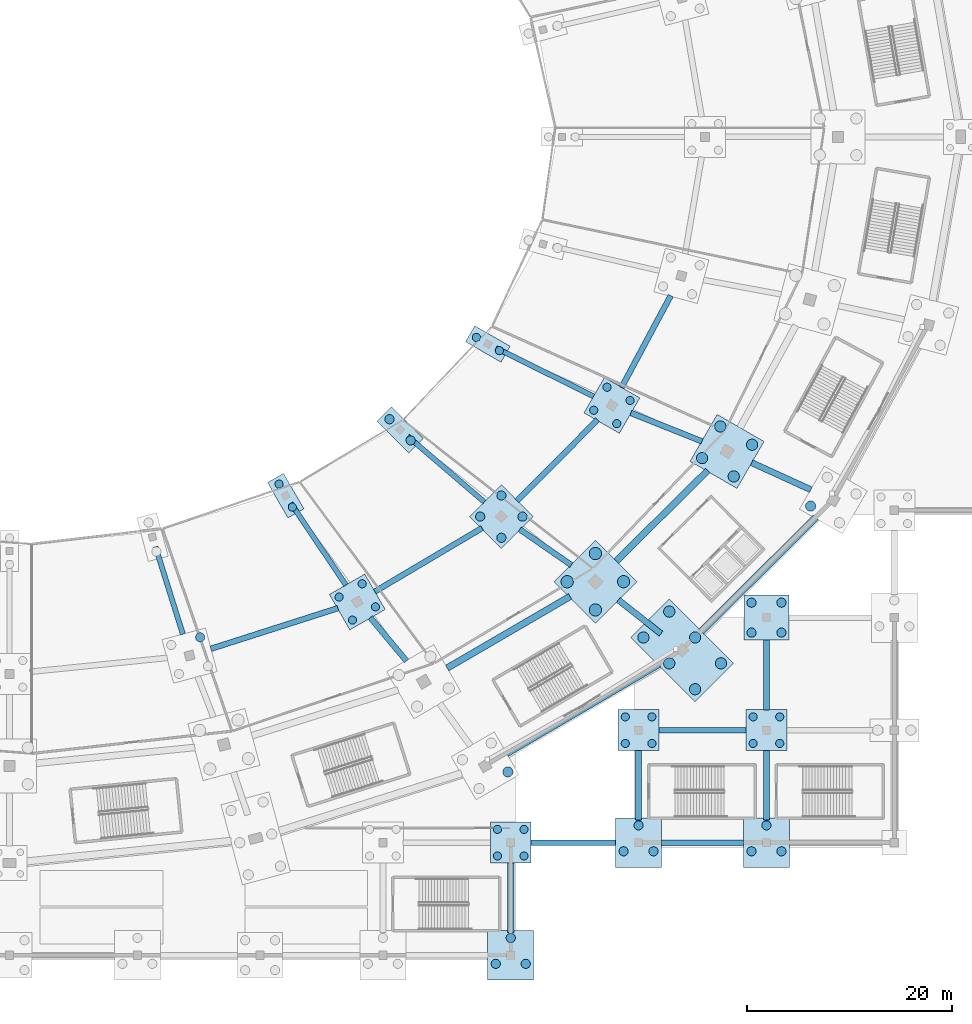
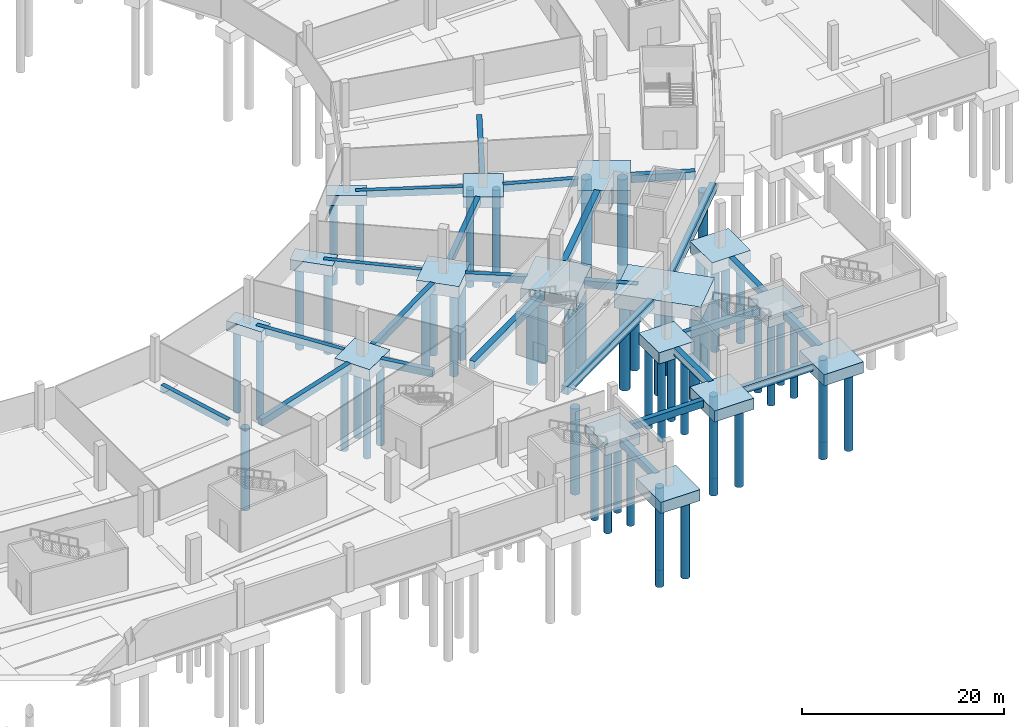
# One storey, part 6 of 74: 60 piles, 40 footings.
"""IFC4 building model written with IfcOpenShell, lengths in metres."""

from ifc_helpers import new_model, si_unit, direction, frame, origin, origin_2d, place, context, subcontext, project, spatial, polyline, rectangle, circle, outline, extrude, material, material_profile, profile_set, type_object, element, save


model = new_model("IFC4")

# Units and contexts
model_context = context("Model", 3, precision=1e-05, world=origin(), true_north=direction((0.0, 1.0)))
body_context = subcontext(model_context, "Body", "Model", "MODEL_VIEW")
ifc_project = project(units=[si_unit("LENGTHUNIT", "METRE"), si_unit("AREAUNIT", "SQUARE_METRE"), si_unit("VOLUMEUNIT", "CUBIC_METRE"), si_unit("PLANEANGLEUNIT", "RADIAN"), si_unit("MASSUNIT", "GRAM", prefix="KILO")], contexts=[model_context])

# Site, building, storey
site_placement = place(None, origin())
site = spatial("IfcSite", under=ifc_project, at=site_placement, CompositionType="ELEMENT")
building_placement = place(site_placement, origin())
building = spatial("IfcBuilding", under=site, at=building_placement, Name="Zlatoyarsky Gate Stadium", CompositionType="ELEMENT")
storey_placement = place(building_placement, frame((0.0, 0.0, -5.39990234375)))
storey = spatial("IfcBuildingStorey", under=building, at=storey_placement, Name="B1", CompositionType="ELEMENT", Elevation=-5.39990234375)

# Piles
ifc_material = material(Name="Concrete C35/45", Category="concrete")
ifc_material_profile_1 = material_profile(ifc_material, circle(Radius=0.5, at=origin_2d()), Name="BORED PILE D1000")
ifc_profile_set_1 = profile_set([ifc_material_profile_1], Name="Concrete C35/45")
pile_type_1 = type_object("IfcPileType", Name="CONCRETE BORED PILE D1000", PredefinedType="BORED", material=ifc_profile_set_1)
for number, where, z_axis, x_axis, name in (
    (1, (159.7197265625, 17.91748046875, -1.400146484375), (0.0, 0.0, -1.0), (1.0, 0.0, 0.0), "Pile 4 under RC-20"),
    (2, (189.320556640625, 43.9052734375, -1.400146484375), (0.0, 0.0, -1.0), (1.0, 0.0, 0.0), "Pile 1 under RC-22"),
):
    element("IfcPile", number, at=place(storey_placement, frame(where, z_axis=z_axis, x_axis=x_axis)), inside=storey, type_object=pile_type_1, Name=name, PredefinedType="BORED", context=body_context, shape_type="SweptSolid", body=[
        extrude(circle(Radius=0.5, at=origin_2d()), origin(), (0.0, 0.0, 1.0), 10.39990234375),
    ])
ifc_material_profile_2 = material_profile(ifc_material, circle(Radius=0.550048828125, at=origin_2d()), Name="BORED PILE D1100")
ifc_profile_set_2 = profile_set([ifc_material_profile_2], Name="Concrete C35/45")
pile_type_2 = type_object("IfcPileType", Name="CONCRETE BORED PILE D1100", PredefinedType="BORED", material=ifc_profile_set_2)
for number, where, z_axis, x_axis, name in (
    (3, (178.706298828125, 48.595703125, -1.4501953125), (0.0, 0.0, -1.0), (1.0, 0.0, 0.0), "Pile 1 under RB-22"),
    (4, (181.802490234375, 46.80810546875, -1.4501953125), (0.0, 0.0, -1.0), (1.0, 0.0, 0.0), "Pile 2 under RB-22"),
    (5, (180.493896484375, 51.69189453125, -1.4501953125), (0.0, 0.0, -1.0), (1.0, 0.0, 0.0), "Pile 3 under RB-22"),
    (6, (183.58984375, 49.904296875, -1.4501953125), (0.0, 0.0, -1.0), (1.0, 0.0, 0.0), "Pile 4 under RB-22"),
):
    element("IfcPile", number, at=place(storey_placement, frame(where, z_axis=z_axis, x_axis=x_axis)), inside=storey, type_object=pile_type_2, Name=name, PredefinedType="BORED", context=body_context, shape_type="SweptSolid", body=[
        extrude(circle(Radius=0.550048828125, at=origin_2d()), origin(), (0.0, 0.0, 1.0), 10.35009765625),
    ])
for number, where, z_axis, x_axis, name in (
    (7, (172.968994140625, 31.059326171875, -1.60009765625), (0.0, 0.0, -1.0), (1.0, 0.0, 0.0), "Pile 1 under RC-21"),
    (8, (175.496826171875, 28.531494140625, -1.60009765625), (0.0, 0.0, -1.0), (1.0, 0.0, 0.0), "Pile 2 under RC-21"),
    (9, (178.02490234375, 26.00341796875, -1.60009765625), (0.0, 0.0, -1.0), (1.0, 0.0, 0.0), "Pile 3 under RC-21"),
    (10, (175.496826171875, 33.58740234375, -1.60009765625), (0.0, 0.0, -1.0), (1.0, 0.0, 0.0), "Pile 4 under RC-21"),
    (11, (178.02490234375, 31.059326171875, -1.60009765625), (0.0, 0.0, -1.0), (1.0, 0.0, 0.0), "Pile 5 under RC-21"),
    (12, (180.552734375, 28.531494140625, -1.60009765625), (0.0, 0.0, -1.0), (1.0, 0.0, 0.0), "Pile 6 under RC-21"),
):
    element("IfcPile", number, at=place(storey_placement, frame(where, z_axis=z_axis, x_axis=x_axis)), inside=storey, type_object=pile_type_2, Name=name, PredefinedType="BORED", context=body_context, shape_type="SweptSolid", body=[
        extrude(circle(Radius=0.550048828125, at=origin_2d()), origin(), (0.0, 0.0, 1.0), 10.199951171875),
    ])
ifc_material_profile_3 = material_profile(ifc_material, circle(Radius=0.60009765625, at=origin_2d()), Name="BORED PILE D1200")
ifc_profile_set_3 = profile_set([ifc_material_profile_3], Name="Concrete C35/45")
pile_type_3 = type_object("IfcPileType", Name="CONCRETE BORED PILE D1200", PredefinedType="BORED", material=ifc_profile_set_3)
for number, where, z_axis, x_axis, name in (
    (13, (165.517822265625, 36.512939453125, -1.550048828125), (0.0, 0.0, -1.0), (1.0, 0.0, 0.0), "Pile 1 under RB-21"),
    (14, (168.275634765625, 33.755126953125, -1.550048828125), (0.0, 0.0, -1.0), (1.0, 0.0, 0.0), "Pile 2 under RB-21"),
    (15, (168.275634765625, 39.2705078125, -1.550048828125), (0.0, 0.0, -1.0), (1.0, 0.0, 0.0), "Pile 3 under RB-21"),
    (16, (171.033203125, 36.512939453125, -1.550048828125), (0.0, 0.0, -1.0), (1.0, 0.0, 0.0), "Pile 4 under RB-21"),
):
    element("IfcPile", number, at=place(storey_placement, frame(where, z_axis=z_axis, x_axis=x_axis)), inside=storey, type_object=pile_type_3, Name=name, PredefinedType="BORED", context=body_context, shape_type="SweptSolid", body=[
        extrude(circle(Radius=0.60009765625, at=origin_2d()), origin(), (0.0, 0.0, 1.0), 10.25),
    ])
ifc_material_profile_4 = material_profile(ifc_material, circle(Radius=0.39990234375, at=origin_2d()), Name="BORED PILE D800")
ifc_profile_set_4 = profile_set([ifc_material_profile_4], Name="Concrete C35/45")
pile_type_4 = type_object("IfcPileType", Name="CONCRETE BORED PILE D800", PredefinedType="BORED", material=ifc_profile_set_4)
for number, where, z_axis, x_axis, name in (
    (17, (137.35009765625, 46.0517578125, -1.10009765625), (0.0, 0.0, -1.0), (1.0, 0.0, 0.0), "Pile 1 under R0-20"),
    (18, (138.64990234375, 43.80029296875, -1.10009765625), (0.0, 0.0, -1.0), (1.0, 0.0, 0.0), "Pile 2 under R0-20"),
    (19, (156.6396484375, 60.39990234375, -1.10009765625), (0.0, 0.0, -1.0), (1.0, 0.0, 0.0), "Pile 1 under R0-22"),
    (20, (158.89111328125, 59.10009765625, -1.10009765625), (0.0, 0.0, -1.0), (1.0, 0.0, 0.0), "Pile 2 under R0-22"),
):
    element("IfcPile", number, at=place(storey_placement, frame(where, z_axis=z_axis, x_axis=x_axis)), inside=storey, type_object=pile_type_4, Name=name, PredefinedType="BORED", context=body_context, shape_type="SweptSolid", body=[
        extrude(circle(Radius=0.39990234375, at=origin_2d()), origin(), (0.0, 0.0, 1.0), 10.10009765625),
    ])
for number, where, z_axis, x_axis, name in (
    (21, (143.22412109375, 35.009521484375, -1.25), (0.0, 0.0, -1.0), (1.0, 0.0, 0.0), "Pile 1 under RA-20"),
    (22, (144.524169921875, 32.7578125, -1.25), (0.0, 0.0, -1.0), (1.0, 0.0, 0.0), "Pile 2 under RA-20"),
    (23, (145.475830078125, 36.3095703125, -1.25), (0.0, 0.0, -1.0), (1.0, 0.0, 0.0), "Pile 3 under RA-20"),
    (24, (146.77587890625, 34.057861328125, -1.25), (0.0, 0.0, -1.0), (1.0, 0.0, 0.0), "Pile 4 under RA-20"),
    (25, (168.114013671875, 53.274169921875, -1.25), (0.0, 0.0, -1.0), (1.0, 0.0, 0.0), "Pile 1 under RA-22"),
    (26, (170.365478515625, 51.97412109375, -1.25), (0.0, 0.0, -1.0), (1.0, 0.0, 0.0), "Pile 2 under RA-22"),
    (27, (169.413818359375, 55.52587890625, -1.25), (0.0, 0.0, -1.0), (1.0, 0.0, 0.0), "Pile 3 under RA-22"),
    (28, (171.66552734375, 54.225830078125, -1.25), (0.0, 0.0, -1.0), (1.0, 0.0, 0.0), "Pile 4 under RA-22"),
    (29, (158.699951171875, 9.699951171875, -1.25), (0.0, 0.0, -1.0), (1.0, 0.0, 0.0), "Pile 1 under WG-14-B"),
    (30, (161.300048828125, 9.699951171875, -1.25), (0.0, 0.0, -1.0), (1.0, 0.0, 0.0), "Pile 2 under WG-14-B"),
    (31, (158.699951171875, 12.300048828125, -1.25), (0.0, 0.0, -1.0), (1.0, 0.0, 0.0), "Pile 3 under WG-14-B"),
    (32, (161.300048828125, 12.300048828125, -1.25), (0.0, 0.0, -1.0), (1.0, 0.0, 0.0), "Pile 4 under WG-14-B"),
    (33, (171.199951171875, 20.699951171875, -1.25), (0.0, 0.0, -1.0), (1.0, 0.0, 0.0), "Pile 1 under WG-15-C"),
    (34, (173.800048828125, 20.699951171875, -1.25), (0.0, 0.0, -1.0), (1.0, 0.0, 0.0), "Pile 2 under WG-15-C"),
    (35, (171.199951171875, 23.300048828125, -1.25), (0.0, 0.0, -1.0), (1.0, 0.0, 0.0), "Pile 3 under WG-15-C"),
    (36, (173.800048828125, 23.300048828125, -1.25), (0.0, 0.0, -1.0), (1.0, 0.0, 0.0), "Pile 4 under WG-15-C"),
    (37, (183.699951171875, 20.699951171875, -1.25), (0.0, 0.0, -1.0), (1.0, 0.0, 0.0), "Pile 1 under WG-16-C"),
    (38, (186.300048828125, 20.699951171875, -1.25), (0.0, 0.0, -1.0), (1.0, 0.0, 0.0), "Pile 2 under WG-16-C"),
    (39, (183.699951171875, 23.300048828125, -1.25), (0.0, 0.0, -1.0), (1.0, 0.0, 0.0), "Pile 3 under WG-16-C"),
    (40, (186.300048828125, 23.300048828125, -1.25), (0.0, 0.0, -1.0), (1.0, 0.0, 0.0), "Pile 4 under WG-16-C"),
):
    element("IfcPile", number, at=place(storey_placement, frame(where, z_axis=z_axis, x_axis=x_axis)), inside=storey, type_object=pile_type_4, Name=name, PredefinedType="BORED", context=body_context, shape_type="SweptSolid", body=[
        extrude(circle(Radius=0.39990234375, at=origin_2d()), origin(), (0.0, 0.0, 1.0), 9.949951171875),
    ])
ifc_material_profile_5 = material_profile(ifc_material, circle(Radius=0.449951171875, at=origin_2d()), Name="BORED PILE D900")
ifc_profile_set_5 = profile_set([ifc_material_profile_5], Name="Concrete C35/45")
pile_type_5 = type_object("IfcPileType", Name="CONCRETE BORED PILE D900", PredefinedType="BORED", material=ifc_profile_set_5)
for number, where, z_axis, x_axis, name in (
    (41, (148.149658203125, 52.396240234375, -1.150146484375), (0.0, 0.0, -1.0), (1.0, 0.0, 0.0), "Pile 1 under R0-21"),
    (42, (150.218017578125, 50.328125, -1.150146484375), (0.0, 0.0, -1.0), (1.0, 0.0, 0.0), "Pile 2 under R0-21"),
):
    element("IfcPile", number, at=place(storey_placement, frame(where, z_axis=z_axis, x_axis=x_axis)), inside=storey, type_object=pile_type_5, Name=name, PredefinedType="BORED", context=body_context, shape_type="SweptSolid", body=[
        extrude(circle(Radius=0.449951171875, at=origin_2d()), origin(), (0.0, 0.0, 1.0), 10.050048828125),
    ])
for number, where, z_axis, x_axis, name in (
    (43, (129.6337890625, 31.080078125, -1.300048828125), (0.0, 0.0, -1.0), (1.0, 0.0, 0.0), "Pile 3 under RA-19"),
    (44, (157.014892578125, 42.876953125, -1.300048828125), (0.0, 0.0, -1.0), (1.0, 0.0, 0.0), "Pile 1 under RA-21"),
    (45, (159.083251953125, 40.80859375, -1.300048828125), (0.0, 0.0, -1.0), (1.0, 0.0, 0.0), "Pile 2 under RA-21"),
    (46, (159.083251953125, 44.9453125, -1.300048828125), (0.0, 0.0, -1.0), (1.0, 0.0, 0.0), "Pile 3 under RA-21"),
    (47, (161.151611328125, 42.876953125, -1.300048828125), (0.0, 0.0, -1.0), (1.0, 0.0, 0.0), "Pile 4 under RA-21"),
):
    element("IfcPile", number, at=place(storey_placement, frame(where, z_axis=z_axis, x_axis=x_axis)), inside=storey, type_object=pile_type_5, Name=name, PredefinedType="BORED", context=body_context, shape_type="SweptSolid", body=[
        extrude(circle(Radius=0.449951171875, at=origin_2d()), origin(), (0.0, 0.0, 1.0), 9.89990234375),
    ])
for number, where, z_axis, x_axis, name in (
    (48, (158.53759765625, -0.84423828125, -1.25), (0.0, 0.0, -1.0), (1.0, 0.0, 0.0), "Pile 1 under WG-14-A"),
    (49, (161.46240234375, -0.84423828125, -1.25), (0.0, 0.0, -1.0), (1.0, 0.0, 0.0), "Pile 2 under WG-14-A"),
    (50, (160.0, 1.688720703125, -1.25), (0.0, 0.0, -1.0), (1.0, 0.0, 0.0), "Pile 3 under WG-14-A"),
    (51, (171.03759765625, 10.15576171875, -1.25), (0.0, 0.0, -1.0), (1.0, 0.0, 0.0), "Pile 1 under WG-15-B"),
    (52, (173.96240234375, 10.15576171875, -1.25), (0.0, 0.0, -1.0), (1.0, 0.0, 0.0), "Pile 2 under WG-15-B"),
    (53, (172.5, 12.688720703125, -1.25), (0.0, 0.0, -1.0), (1.0, 0.0, 0.0), "Pile 3 under WG-15-B"),
    (54, (183.53759765625, 10.15576171875, -1.25), (0.0, 0.0, -1.0), (1.0, 0.0, 0.0), "Pile 1 under WG-16-B"),
    (55, (186.46240234375, 10.15576171875, -1.25), (0.0, 0.0, -1.0), (1.0, 0.0, 0.0), "Pile 2 under WG-16-B"),
    (56, (185.0, 12.688720703125, -1.25), (0.0, 0.0, -1.0), (1.0, 0.0, 0.0), "Pile 3 under WG-16-B"),
):
    element("IfcPile", number, at=place(storey_placement, frame(where, z_axis=z_axis, x_axis=x_axis)), inside=storey, type_object=pile_type_5, Name=name, PredefinedType="BORED", context=body_context, shape_type="SweptSolid", body=[
        extrude(circle(Radius=0.449951171875, at=origin_2d()), origin(), (0.0, 0.0, 1.0), 9.949951171875),
    ])
for number, where, z_axis, x_axis, name in (
    (57, (183.53759765625, 31.53759765625, -1.300048828125), (0.0, 0.0, -1.0), (1.0, 0.0, 0.0), "Pile 1 under WG-16-D"),
    (58, (186.46240234375, 31.53759765625, -1.300048828125), (0.0, 0.0, -1.0), (1.0, 0.0, 0.0), "Pile 2 under WG-16-D"),
    (59, (183.53759765625, 34.46240234375, -1.300048828125), (0.0, 0.0, -1.0), (1.0, 0.0, 0.0), "Pile 3 under WG-16-D"),
    (60, (186.46240234375, 34.46240234375, -1.300048828125), (0.0, 0.0, -1.0), (1.0, 0.0, 0.0), "Pile 4 under WG-16-D"),
):
    element("IfcPile", number, at=place(storey_placement, frame(where, z_axis=z_axis, x_axis=x_axis)), inside=storey, type_object=pile_type_5, Name=name, PredefinedType="BORED", context=body_context, shape_type="SweptSolid", body=[
        extrude(circle(Radius=0.449951171875, at=origin_2d()), origin(), (0.0, 0.0, 1.0), 9.89990234375),
    ])

# Footings
ifc_material_profile_6 = material_profile(ifc_material, rectangle(XDim=0.5, YDim=0.800048828125, at=origin_2d()), Name="GB 500X800")
ifc_profile_set_6 = profile_set([ifc_material_profile_6], Name="Concrete C35/45")
footing_type_1 = type_object("IfcFootingType", Name="CONCRETE GROUND TIE BEAM 500X800", PredefinedType="STRIP_FOOTING", material=ifc_profile_set_6)
footing_1_placement = place(storey_placement, frame((0.0, 0.0, -0.800048828125)))
element("IfcFooting", 61, at=footing_1_placement, inside=storey, type_object=footing_type_1, Name="Ground tie beam GB-01 R0-19 to RA-19", PredefinedType="STRIP_FOOTING", context=body_context, shape_type="SweptSolid", body=[
    extrude(outline(polyline([(125.032958984375, 39.860595703125), (127.707763671875, 31.304443359375), (128.184814453125, 31.45361328125), (125.51025390625, 40.009765625), (125.032958984375, 39.860595703125)])), origin(), (0.0, 0.0, 1.0), 0.800048828125),
])
footing_2_placement = place(storey_placement, frame((0.0, 0.0, -0.800048828125)))
element("IfcFooting", 62, at=footing_2_placement, inside=storey, type_object=footing_type_1, Name="Ground tie beam GB-01 R0-20 to RA-20", PredefinedType="STRIP_FOOTING", context=body_context, shape_type="SweptSolid", body=[
    extrude(outline(polyline([(138.289794921875, 44.048095703125), (143.680908203125, 36.04443359375), (144.095703125, 36.323974609375), (138.70458984375, 44.327392578125), (138.289794921875, 44.048095703125)])), origin(), (0.0, 0.0, 1.0), 0.800048828125),
])
footing_3_placement = place(storey_placement, frame((0.0, 0.0, -0.800048828125)))
element("IfcFooting", 63, at=footing_3_placement, inside=storey, type_object=footing_type_1, Name="Ground tie beam GB-01 R0-21 to RA-21", PredefinedType="STRIP_FOOTING", context=body_context, shape_type="SweptSolid", body=[
    extrude(outline(polyline([(149.772705078125, 50.528076171875), (157.2578125, 44.1123046875), (157.583251953125, 44.491943359375), (150.09814453125, 50.90771484375), (149.772705078125, 50.528076171875)])), origin(), (0.0, 0.0, 1.0), 0.800048828125),
])
footing_4_placement = place(storey_placement, frame((0.0, 0.0, -0.800048828125)))
element("IfcFooting", 64, at=footing_4_placement, inside=storey, type_object=footing_type_1, Name="Ground tie beam GB-01 R0-22 to RA-22", PredefinedType="STRIP_FOOTING", context=body_context, shape_type="SweptSolid", body=[
    extrude(outline(polyline([(158.4521484375, 59.13134765625), (167.9951171875, 54.408447265625), (168.217041015625, 54.856689453125), (158.674072265625, 59.579345703125), (158.4521484375, 59.13134765625)])), origin(), (0.0, 0.0, 1.0), 0.800048828125),
])
ifc_material_profile_7 = material_profile(ifc_material, rectangle(XDim=0.550048828125, YDim=0.85009765625, at=origin_2d()), Name="GB 550X850")
ifc_profile_set_7 = profile_set([ifc_material_profile_7], Name="Concrete C35/45")
footing_type_2 = type_object("IfcFootingType", Name="CONCRETE GROUND TIE BEAM 550X850", PredefinedType="STRIP_FOOTING", material=ifc_profile_set_7)
footing_5_placement = place(storey_placement, frame((0.0, 0.0, -0.85009765625)))
element("IfcFooting", 65, at=footing_5_placement, inside=storey, type_object=footing_type_2, Name="Ground tie beam GB-02 RA-19 to RA-20", PredefinedType="STRIP_FOOTING", context=body_context, shape_type="SweptSolid", body=[
    extrude(outline(polyline([(130.769287109375, 29.694091796875), (143.1884765625, 33.66552734375), (143.020751953125, 34.189453125), (130.601806640625, 30.218017578125), (130.769287109375, 29.694091796875)])), origin(), (0.0, 0.0, 1.0), 0.85009765625),
])
footing_6_placement = place(storey_placement, frame((0.0, 0.0, -0.85009765625)))
element("IfcFooting", 66, at=footing_6_placement, inside=storey, type_object=footing_type_2, Name="Ground tie beam GB-02 RA-20 to RB-20", PredefinedType="STRIP_FOOTING", context=body_context, shape_type="SweptSolid", body=[
    extrude(outline(polyline([(146.063232421875, 32.829345703125), (149.597900390625, 28.5908203125), (150.0205078125, 28.943115234375), (146.485595703125, 33.181640625), (146.063232421875, 32.829345703125)])), origin(), (0.0, 0.0, 1.0), 0.85009765625),
])
footing_7_placement = place(storey_placement, frame((0.0, 0.0, -0.85009765625)))
element("IfcFooting", 67, at=footing_7_placement, inside=storey, type_object=footing_type_2, Name="Ground tie beam GB-02 RA-20 to RA-21", PredefinedType="STRIP_FOOTING", context=body_context, shape_type="SweptSolid", body=[
    extrude(outline(polyline([(146.852294921875, 35.3115234375), (157.33935546875, 41.524169921875), (157.058837890625, 41.997314453125), (146.572021484375, 35.78466796875), (146.852294921875, 35.3115234375)])), origin(), (0.0, 0.0, 1.0), 0.85009765625),
])
footing_8_placement = place(storey_placement, frame((0.0, 0.0, -0.85009765625)))
element("IfcFooting", 68, at=footing_8_placement, inside=storey, type_object=footing_type_2, Name="Ground tie beam GB-02 RA-21 to RB-21", PredefinedType="STRIP_FOOTING", context=body_context, shape_type="SweptSolid", body=[
    extrude(outline(polyline([(160.727294921875, 41.404296875), (165.763427734375, 37.91748046875), (166.076416015625, 38.369873046875), (161.04052734375, 41.8564453125), (160.727294921875, 41.404296875)])), origin(), (0.0, 0.0, 1.0), 0.85009765625),
])
footing_9_placement = place(storey_placement, frame((0.0, 0.0, -0.85009765625)))
element("IfcFooting", 69, at=footing_9_placement, inside=storey, type_object=footing_type_2, Name="Ground tie beam GB-02 RA-21 to RA-22", PredefinedType="STRIP_FOOTING", context=body_context, shape_type="SweptSolid", body=[
    extrude(outline(polyline([(160.822265625, 44.236328125), (168.681884765625, 52.14453125), (168.291748046875, 52.532470703125), (160.43212890625, 44.6240234375), (160.822265625, 44.236328125)])), origin(), (0.0, 0.0, 1.0), 0.85009765625),
])
footing_10_placement = place(storey_placement, frame((0.0, 0.0, -0.85009765625)))
element("IfcFooting", 70, at=footing_10_placement, inside=storey, type_object=footing_type_2, Name="Ground tie beam GB-02 RA-22 to RB-22", PredefinedType="STRIP_FOOTING", context=body_context, shape_type="SweptSolid", body=[
    extrude(outline(polyline([(171.635498046875, 52.756103515625), (178.5947265625, 49.974365234375), (178.798828125, 50.485107421875), (171.839599609375, 53.266845703125), (171.635498046875, 52.756103515625)])), origin(), (0.0, 0.0, 1.0), 0.85009765625),
])
footing_11_placement = place(storey_placement, frame((0.0, 0.0, -0.85009765625)))
element("IfcFooting", 71, at=footing_11_placement, inside=storey, type_object=footing_type_2, Name="Ground tie beam GB-02 RA-22 to RA-23", PredefinedType="STRIP_FOOTING", context=body_context, shape_type="SweptSolid", body=[
    extrude(outline(polyline([(171.07275390625, 55.37353515625), (175.889892578125, 64.352294921875), (175.4052734375, 64.6123046875), (170.588134765625, 55.633544921875), (171.07275390625, 55.37353515625)])), origin(), (0.0, 0.0, 1.0), 0.85009765625),
])
footing_12_placement = place(storey_placement, frame((0.0, 0.0, -0.85009765625)))
element("IfcFooting", 72, at=footing_12_placement, inside=storey, type_object=footing_type_2, Name="Ground tie beam GB-02 WG-14-B to WG-15-B", PredefinedType="STRIP_FOOTING", context=body_context, shape_type="SweptSolid", body=[
    extrude(outline(polyline([(161.989990234375, 10.72509765625), (170.260009765625, 10.72509765625), (170.260009765625, 11.27490234375), (161.989990234375, 11.27490234375), (161.989990234375, 10.72509765625)])), origin(), (0.0, 0.0, 1.0), 0.85009765625),
])
footing_13_placement = place(storey_placement, frame((0.0, 0.0, -0.85009765625)))
element("IfcFooting", 73, at=footing_13_placement, inside=storey, type_object=footing_type_2, Name="Ground tie beam GB-02 WG-15-B to WG-16-B", PredefinedType="STRIP_FOOTING", context=body_context, shape_type="SweptSolid", body=[
    extrude(outline(polyline([(174.739990234375, 10.72509765625), (182.760009765625, 10.72509765625), (182.760009765625, 11.27490234375), (174.739990234375, 11.27490234375), (174.739990234375, 10.72509765625)])), origin(), (0.0, 0.0, 1.0), 0.85009765625),
])
footing_14_placement = place(storey_placement, frame((0.0, 0.0, -0.85009765625)))
element("IfcFooting", 74, at=footing_14_placement, inside=storey, type_object=footing_type_2, Name="Ground tie beam GB-02 WG-15-C to WG-16-C", PredefinedType="STRIP_FOOTING", context=body_context, shape_type="SweptSolid", body=[
    extrude(outline(polyline([(174.489990234375, 21.72509765625), (183.010009765625, 21.72509765625), (183.010009765625, 22.27490234375), (174.489990234375, 22.27490234375), (174.489990234375, 21.72509765625)])), origin(), (0.0, 0.0, 1.0), 0.85009765625),
])
ifc_material_profile_8 = material_profile(ifc_material, rectangle(XDim=0.60009765625, YDim=0.89990234375, at=origin_2d()), Name="GB 600X900")
ifc_profile_set_8 = profile_set([ifc_material_profile_8], Name="Concrete C35/45")
footing_type_3 = type_object("IfcFootingType", Name="CONCRETE GROUND TIE BEAM 600X900", PredefinedType="STRIP_FOOTING", material=ifc_profile_set_8)
footing_15_placement = place(storey_placement, frame((0.0, 0.0, -0.900146484375)))
element("IfcFooting", 75, at=footing_15_placement, inside=storey, type_object=footing_type_3, Name="Ground tie beam GB-03 RB-21 to RC-21", PredefinedType="STRIP_FOOTING", context=body_context, shape_type="SweptSolid", body=[
    extrude(outline(polyline([(170.335693359375, 34.499267578125), (174.5048828125, 31.198974609375), (174.877197265625, 31.66943359375), (170.7080078125, 34.9697265625), (170.335693359375, 34.499267578125)])), origin(), (0.0, 0.0, 1.0), 0.900146484375),
])
footing_16_placement = place(storey_placement, frame((0.0, 0.0, -0.900146484375)))
element("IfcFooting", 76, at=footing_16_placement, inside=storey, type_object=footing_type_3, Name="Ground tie beam GB-03 RB-22 to RC-22", PredefinedType="STRIP_FOOTING", context=body_context, shape_type="SweptSolid", body=[
    extrude(outline(polyline([(183.424560546875, 47.879638671875), (189.21923828125, 45.23095703125), (189.46875, 45.77685546875), (183.673828125, 48.42529296875), (183.424560546875, 47.879638671875)])), origin(), (0.0, 0.0, 1.0), 0.900146484375),
])
footing_17_placement = place(storey_placement, frame((0.0, 0.0, -0.900146484375)))
element("IfcFooting", 77, at=footing_17_placement, inside=storey, type_object=footing_type_3, Name="Ground tie beam GB-03 WG-14-A to WG-14-B", PredefinedType="STRIP_FOOTING", context=body_context, shape_type="SweptSolid", body=[
    extrude(outline(polyline([(160.300048828125, 2.239990234375), (160.300048828125, 9.010009765625), (159.699951171875, 9.010009765625), (159.699951171875, 2.239990234375), (160.300048828125, 2.239990234375)])), origin(), (0.0, 0.0, 1.0), 0.900146484375),
])
footing_18_placement = place(storey_placement, frame((0.0, 0.0, -0.900146484375)))
element("IfcFooting", 78, at=footing_18_placement, inside=storey, type_object=footing_type_3, Name="Ground tie beam GB-03 WG-15-B to WG-15-C", PredefinedType="STRIP_FOOTING", context=body_context, shape_type="SweptSolid", body=[
    extrude(outline(polyline([(172.800048828125, 13.239990234375), (172.800048828125, 20.010009765625), (172.199951171875, 20.010009765625), (172.199951171875, 13.239990234375), (172.800048828125, 13.239990234375)])), origin(), (0.0, 0.0, 1.0), 0.900146484375),
])
footing_19_placement = place(storey_placement, frame((0.0, 0.0, -0.900146484375)))
element("IfcFooting", 79, at=footing_19_placement, inside=storey, type_object=footing_type_3, Name="Ground tie beam GB-03 WG-16-B to WG-16-C", PredefinedType="STRIP_FOOTING", context=body_context, shape_type="SweptSolid", body=[
    extrude(outline(polyline([(185.300048828125, 13.239990234375), (185.300048828125, 20.010009765625), (184.699951171875, 20.010009765625), (184.699951171875, 13.239990234375), (185.300048828125, 13.239990234375)])), origin(), (0.0, 0.0, 1.0), 0.900146484375),
])
footing_20_placement = place(storey_placement, frame((0.0, 0.0, -0.900146484375)))
element("IfcFooting", 80, at=footing_20_placement, inside=storey, type_object=footing_type_3, Name="Ground tie beam GB-03 WG-16-C to WG-16-D", PredefinedType="STRIP_FOOTING", context=body_context, shape_type="SweptSolid", body=[
    extrude(outline(polyline([(185.300048828125, 23.989990234375), (185.300048828125, 30.81005859375), (184.699951171875, 30.81005859375), (184.699951171875, 23.989990234375), (185.300048828125, 23.989990234375)])), origin(), (0.0, 0.0, 1.0), 0.900146484375),
])
ifc_material_profile_9 = material_profile(ifc_material, rectangle(XDim=0.64990234375, YDim=0.949951171875, at=origin_2d()), Name="GB 650X950")
ifc_profile_set_9 = profile_set([ifc_material_profile_9], Name="Concrete C35/45")
footing_type_4 = type_object("IfcFootingType", Name="CONCRETE GROUND TIE BEAM 650X950", PredefinedType="STRIP_FOOTING", material=ifc_profile_set_9)
footing_21_placement = place(storey_placement, frame((0.0, 0.0, -0.9501953125)))
element("IfcFooting", 81, at=footing_21_placement, inside=storey, type_object=footing_type_4, Name="Ground tie beam GB-04 RB-20 to RB-21", PredefinedType="STRIP_FOOTING", context=body_context, shape_type="SweptSolid", body=[
    extrude(outline(polyline([(153.94482421875, 27.78759765625), (165.963623046875, 34.789794921875), (165.636474609375, 35.3515625), (153.617431640625, 28.34912109375), (153.94482421875, 27.78759765625)])), origin(), (0.0, 0.0, 1.0), 0.9501953125),
])
footing_22_placement = place(storey_placement, frame((0.0, 0.0, -0.9501953125)))
element("IfcFooting", 82, at=footing_22_placement, inside=storey, type_object=footing_type_4, Name="Ground tie beam GB-04 RB-21 to RB-22", PredefinedType="STRIP_FOOTING", context=body_context, shape_type="SweptSolid", body=[
    extrude(outline(polyline([(170.540771484375, 38.296875), (179.5, 47.162109375), (179.04296875, 47.6240234375), (170.08349609375, 38.759033203125), (170.540771484375, 38.296875)])), origin(), (0.0, 0.0, 1.0), 0.9501953125),
])
ifc_material_profile_10 = material_profile(ifc_material, rectangle(XDim=0.699951171875, YDim=1.0, at=origin_2d()), Name="GB 700X1000")
ifc_profile_set_10 = profile_set([ifc_material_profile_10], Name="Concrete C35/45")
footing_type_5 = type_object("IfcFootingType", Name="CONCRETE GROUND TIE BEAM 700X1000", PredefinedType="STRIP_FOOTING", material=ifc_profile_set_10)
footing_23_placement = place(storey_placement, frame((0.0, 0.0, -1.0)))
element("IfcFooting", 83, at=footing_23_placement, inside=storey, type_object=footing_type_5, Name="Ground tie beam GB-05 RC-20 to RC-21", PredefinedType="STRIP_FOOTING", context=body_context, shape_type="SweptSolid", body=[
    extrude(outline(polyline([(159.7607421875, 19.430908203125), (174.659912109375, 28.158935546875), (174.30615234375, 28.762939453125), (159.406982421875, 20.034912109375), (159.7607421875, 19.430908203125)])), origin(), (0.0, 0.0, 1.0), 1.0),
])
footing_24_placement = place(storey_placement, frame((0.0, 0.0, -1.0)))
element("IfcFooting", 84, at=footing_24_placement, inside=storey, type_object=footing_type_5, Name="Ground tie beam GB-05 RC-21 to RC-22", PredefinedType="STRIP_FOOTING", context=body_context, shape_type="SweptSolid", body=[
    extrude(outline(polyline([(178.879150390625, 31.4091796875), (190.0751953125, 42.548583984375), (189.58154296875, 43.044921875), (178.385498046875, 31.905517578125), (178.879150390625, 31.4091796875)])), origin(), (0.0, 0.0, 1.0), 1.0),
])
footing_type_6 = type_object("IfcFootingType", Name="CONCRETE PILE CAP 4000X1800X1200", PredefinedType="PILE_CAP", material=ifc_material)
for number, where, z_axis, x_axis, name in (
    (85, (138.0, 44.926025390625, -1.2001953125), (0.0, 0.0, 1.0), (0.5, -0.866025403784, 0.0), "Pile cap PC-01 at R0-20"),
    (86, (157.765380859375, 59.75, -1.2001953125), (0.0, 0.0, 1.0), (0.866025403784, -0.5, 0.0), "Pile cap PC-01 at R0-22"),
):
    element("IfcFooting", number, at=place(storey_placement, frame(where, z_axis=z_axis, x_axis=x_axis)), inside=storey, type_object=footing_type_6, Name=name, PredefinedType="PILE_CAP", context=body_context, shape_type="SweptSolid", body=[
        extrude(rectangle(XDim=4.0, YDim=1.800048828125, at=origin_2d()), origin(), (0.0, 0.0, 1.0), 1.199951171875),
    ])
footing_type_7 = type_object("IfcFootingType", Name="CONCRETE PILE CAP 4000X4000X1350", PredefinedType="PILE_CAP", material=ifc_material)
for number, where, z_axis, x_axis, name in (
    (87, (145.0, 34.53369140625, -1.35009765625), (0.0, 0.0, 1.0), (0.5, -0.866025403784, 0.0), "Pile cap PC-05 at RA-20"),
    (88, (169.8896484375, 53.75, -1.35009765625), (0.0, 0.0, 1.0), (0.866025403784, -0.5, 0.0), "Pile cap PC-05 at RA-22"),
    (89, (160.0, 11.0, -1.35009765625), (0.0, 0.0, 1.0), (1.0, 0.0, 0.0), "Pile cap PC-05 at WG-14-B"),
    (90, (172.5, 22.0, -1.35009765625), (0.0, 0.0, 1.0), (1.0, 0.0, 0.0), "Pile cap PC-05 at WG-15-C"),
    (91, (185.0, 22.0, -1.35009765625), (0.0, 0.0, 1.0), (1.0, 0.0, 0.0), "Pile cap PC-05 at WG-16-C"),
):
    element("IfcFooting", number, at=place(storey_placement, frame(where, z_axis=z_axis, x_axis=x_axis)), inside=storey, type_object=footing_type_7, Name=name, PredefinedType="PILE_CAP", context=body_context, shape_type="SweptSolid", body=[
        extrude(rectangle(XDim=4.0, YDim=4.0, at=origin_2d()), origin(), (0.0, 0.0, 1.0), 1.35009765625),
    ])
footing_type_8 = type_object("IfcFootingType", Name="CONCRETE PILE CAP 4400X2000X1250", PredefinedType="PILE_CAP", material=ifc_material)
footing_25_placement = place(storey_placement, frame((149.183837890625, 51.3623046875, -1.25), z_axis=(0.0, 0.0, 1.0), x_axis=(0.707106781187, -0.707106781187, 0.0)))
element("IfcFooting", 92, at=footing_25_placement, inside=storey, type_object=footing_type_8, Name="Pile cap PC-02 at R0-21", PredefinedType="PILE_CAP", context=body_context, shape_type="SweptSolid", body=[
    extrude(rectangle(XDim=4.39990234375, YDim=2.0, at=origin_2d()), origin(), (0.0, 0.0, 1.0), 1.25),
])
footing_type_9 = type_object("IfcFootingType", Name="CONCRETE PILE CAP 4400X4400X1400", PredefinedType="PILE_CAP", material=ifc_material)
for number, where, z_axis, x_axis, name in (
    (93, (159.083251953125, 42.876953125, -1.400146484375), (0.0, 0.0, 1.0), (0.707106781187, -0.707106781187, 0.0), "Pile cap PC-06 at RA-21"),
    (94, (185.0, 33.0, -1.400146484375), (0.0, 0.0, 1.0), (1.0, 0.0, 0.0), "Pile cap PC-06 at WG-16-D"),
):
    element("IfcFooting", number, at=place(storey_placement, frame(where, z_axis=z_axis, x_axis=x_axis)), inside=storey, type_object=footing_type_9, Name=name, PredefinedType="PILE_CAP", context=body_context, shape_type="SweptSolid", body=[
        extrude(rectangle(XDim=4.39990234375, YDim=4.39990234375, at=origin_2d()), origin(), (0.0, 0.0, 1.0), 1.39990234375),
    ])
footing_type_10 = type_object("IfcFootingType", Name="CONCRETE PILE CAP 4500X4850X1350", PredefinedType="PILE_CAP", material=ifc_material)
for number, where, z_axis, x_axis, name in (
    (95, (160.0, 0.0, -1.35009765625), (0.0, 0.0, 1.0), (1.0, 0.0, 0.0), "Pile cap PC-04 at WG-14-A"),
    (96, (172.5, 11.0, -1.35009765625), (0.0, 0.0, 1.0), (1.0, 0.0, 0.0), "Pile cap PC-04 at WG-15-B"),
    (97, (185.0, 11.0, -1.35009765625), (0.0, 0.0, 1.0), (1.0, 0.0, 0.0), "Pile cap PC-04 at WG-16-B"),
):
    element("IfcFooting", number, at=place(storey_placement, frame(where, z_axis=z_axis, x_axis=x_axis)), inside=storey, type_object=footing_type_10, Name=name, PredefinedType="PILE_CAP", context=body_context, shape_type="SweptSolid", body=[
        extrude(rectangle(XDim=4.5, YDim=4.85009765625, at=origin_2d()), origin(), (0.0, 0.0, 1.0), 1.35009765625),
    ])
footing_type_11 = type_object("IfcFootingType", Name="CONCRETE PILE CAP 5300X5300X1550", PredefinedType="PILE_CAP", material=ifc_material)
footing_26_placement = place(storey_placement, frame((181.148193359375, 49.25, -1.55029296875), z_axis=(0.0, 0.0, 1.0), x_axis=(0.866025403784, -0.5, 0.0)))
element("IfcFooting", 98, at=footing_26_placement, inside=storey, type_object=footing_type_11, Name="Pile cap PC-08 at RB-22", PredefinedType="PILE_CAP", context=body_context, shape_type="SweptSolid", body=[
    extrude(rectangle(XDim=5.300048828125, YDim=5.300048828125, at=origin_2d()), origin(), (0.0, 0.0, 1.0), 1.550048828125),
])
footing_type_12 = type_object("IfcFootingType", Name="CONCRETE PILE CAP 5750X5750X1650", PredefinedType="PILE_CAP", material=ifc_material)
footing_27_placement = place(storey_placement, frame((168.275634765625, 36.512939453125, -1.650146484375), z_axis=(0.0, 0.0, 1.0), x_axis=(0.707106781187, -0.707106781187, 0.0)))
element("IfcFooting", 99, at=footing_27_placement, inside=storey, type_object=footing_type_12, Name="Pile cap PC-09 at RB-21", PredefinedType="PILE_CAP", context=body_context, shape_type="SweptSolid", body=[
    extrude(rectangle(XDim=5.75, YDim=5.75, at=origin_2d()), origin(), (0.0, 0.0, 1.0), 1.64990234375),
])
footing_type_13 = type_object("IfcFootingType", Name="CONCRETE PILE CAP 8900X5300X1700", PredefinedType="PILE_CAP", material=ifc_material)
footing_28_placement = place(storey_placement, frame((176.760986328125, 29.79541015625, -1.7001953125), z_axis=(0.0, 0.0, 1.0), x_axis=(0.707106781187, -0.707106781187, 0.0)))
element("IfcFooting", 100, at=footing_28_placement, inside=storey, type_object=footing_type_13, Name="Pile cap PC-12 at RC-21", PredefinedType="PILE_CAP", context=body_context, shape_type="SweptSolid", body=[
    extrude(rectangle(XDim=8.89990234375, YDim=5.300048828125, at=origin_2d()), origin(), (0.0, 0.0, 1.0), 1.699951171875),
])

save(model, "model.ifc")
